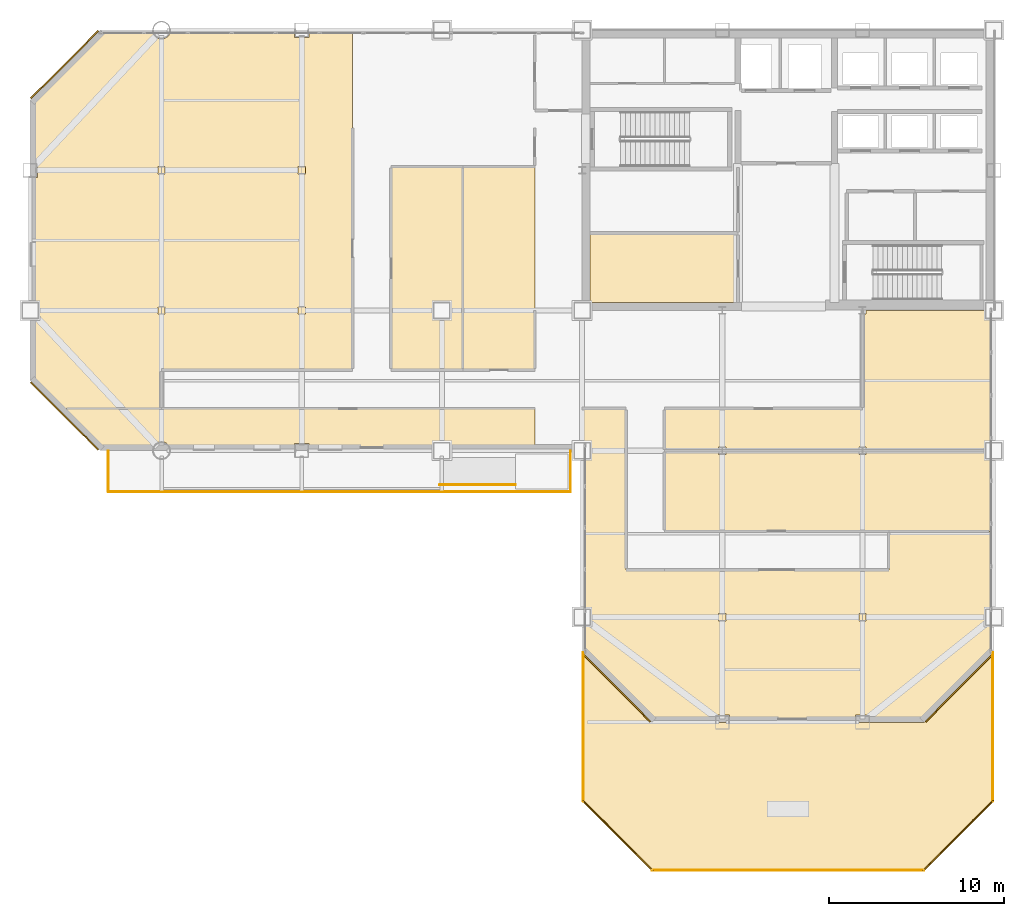
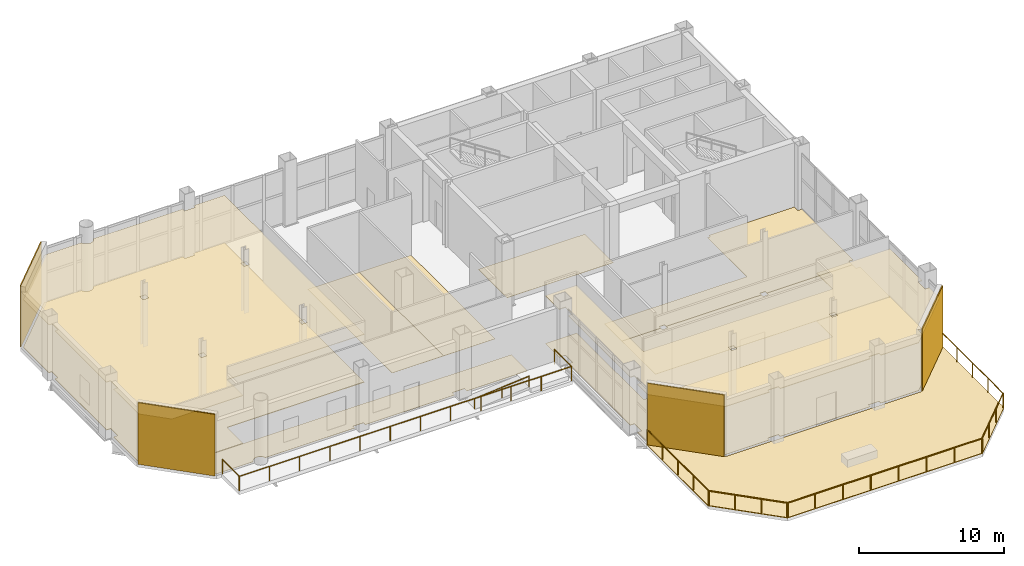
# One storey, part 20 of 21: 15 coverings, 7 railings.
"""IFC4 building model written with IfcOpenShell, lengths in metres."""

import ifcopenshell
import ifcopenshell.guid

model = None  # the IFC model being written
_history = None  # IfcOwnerHistory: only IFC2X3 demands one
_inside = {}  # id of a spatial element -> (the spatial element, [elements in it])
_under = {}  # id of a project, library or spatial element -> (it, [spatial elements below it])
_declared = {}  # id of a project -> (the project, [libraries it declares])
_typed = {}  # id of a type object -> (the type object, [elements of that type])
_made_of = {}  # id of a material, layer set ... -> (it, [elements and type objects made of it])


def new_model(schema):
    """Start an empty IFC model of exactly this schema.

    Asked for "IFC4X3", IfcOpenShell would pick the latest addendum, in which some entities
    have other attributes; the version numbers below select the first issue.
    IFC2X3 requires an IfcOwnerHistory on every rooted entity: one is made here for all.
    """
    global model, _history
    if schema == "IFC4X3":
        model = ifcopenshell.file(schema_version=(4, 3, 0, 0))
    else:
        model = ifcopenshell.file(schema=schema)
    _inside.clear()
    _under.clear()
    _declared.clear()
    _typed.clear()
    _made_of.clear()
    _history = None
    if model.schema == "IFC2X3":
        org = make("IfcOrganization", Name="unknown")
        user = make(
            "IfcPersonAndOrganization",
            ThePerson=make("IfcPerson", FamilyName="unknown"),
            TheOrganization=org,
        )
        app = make(
            "IfcApplication",
            ApplicationDeveloper=org,
            Version="unknown",
            ApplicationFullName="unknown",
            ApplicationIdentifier="unknown",
        )
        _history = make(
            "IfcOwnerHistory",
            OwningUser=user,
            OwningApplication=app,
            ChangeAction="ADDED",
            CreationDate=0,
        )
    return model


def make(cls, **values):
    """One entity of the class cls with the attributes given. An attribute that is None is left unset."""
    return model.create_entity(
        cls, **{name: value for name, value in values.items() if value is not None}
    )


def rooted(cls, **values):
    """An entity with a GlobalId (a new one), such as an element, a storey or a relation."""
    return make(cls, GlobalId=ifcopenshell.guid.new(), OwnerHistory=_history, **values)


def si_unit(unit_type, name, prefix=None):
    """IfcSIUnit, for example si_unit("LENGTHUNIT", "METRE", prefix="MILLI")."""
    return make("IfcSIUnit", UnitType=unit_type, Prefix=prefix, Name=name)


def assignment(units):
    """IfcUnitAssignment: the units of a project."""
    return None if units is None else make("IfcUnitAssignment", Units=units)


def point(xyz):
    """IfcCartesianPoint."""
    return None if xyz is None else make("IfcCartesianPoint", Coordinates=xyz)


def direction(xyz):
    """IfcDirection."""
    return None if xyz is None else make("IfcDirection", DirectionRatios=xyz)


def frame(location, z_axis=None, x_axis=None):
    """IfcAxis2Placement3D, a coordinate frame: its origin and axes. An axis left out is left unset."""
    return make(
        "IfcAxis2Placement3D",
        Location=point(location),
        Axis=direction(z_axis),
        RefDirection=direction(x_axis),
    )


def frame_2d(location, x_axis=None):
    """IfcAxis2Placement2D, a coordinate frame in the plane: its origin and x axis."""
    return make(
        "IfcAxis2Placement2D", Location=point(location), RefDirection=direction(x_axis)
    )


def origin():
    """The frame at (0, 0, 0) with its axes left unset."""
    return frame((0.0, 0.0, 0.0))


def origin_2d():
    """The frame at (0, 0) in the plane with its x axis left unset."""
    return frame_2d((0.0, 0.0))


def place(relative_to, where):
    """IfcLocalPlacement: puts the frame where relative to a parent placement (None: the world)."""
    return make(
        "IfcLocalPlacement", PlacementRelTo=relative_to, RelativePlacement=where
    )


def context(
    kind, dimensions, precision=None, world=None, true_north=None, identifier=None
):
    """IfcGeometricRepresentationContext, for example the 3D "Model" context."""
    return make(
        "IfcGeometricRepresentationContext",
        ContextIdentifier=identifier,
        ContextType=kind,
        CoordinateSpaceDimension=dimensions,
        Precision=precision,
        WorldCoordinateSystem=world,
        TrueNorth=true_north,
    )


def subcontext(parent, identifier, kind, view, scale=None):
    """IfcGeometricRepresentationSubContext, for example "Body" below "Model"."""
    return make(
        "IfcGeometricRepresentationSubContext",
        ContextIdentifier=identifier,
        ContextType=kind,
        ParentContext=parent,
        TargetScale=scale,
        TargetView=view,
    )


def project(units=None, contexts=None):
    """IfcProject with its units and contexts."""
    return rooted(
        "IfcProject",
        Name="project",
        RepresentationContexts=contexts,
        UnitsInContext=assignment(units),
    )


def spatial(cls, under=None, at=None, **own):
    """A site, building, storey or space (cls), placed at a placement, below another one or the project."""
    s = rooted(cls, ObjectPlacement=at, **own)
    if under is not None:
        _under.setdefault(under.id(), (under, []))[1].append(s)
    return s


def polyline(points):
    """IfcPolyline through the points."""
    return make("IfcPolyline", Points=[point(p) for p in points])


def profile(cls, at=None, kind="AREA", **sizes):
    """A parametric profile (cls). Its sizes go by their IFC names, for example OverallWidth=200.0."""
    return make(cls, ProfileType=kind, Position=at, **sizes)


def rectangle(**sizes):
    """IfcRectangleProfileDef."""
    return profile("IfcRectangleProfileDef", **sizes)


def circle(**sizes):
    """IfcCircleProfileDef."""
    return profile("IfcCircleProfileDef", **sizes)


def outline(outer, holes=None, kind="AREA"):
    """IfcArbitraryClosedProfileDef: a profile drawn as a closed curve; with holes, ...WithVoids."""
    if holes is None:
        return make("IfcArbitraryClosedProfileDef", ProfileType=kind, OuterCurve=outer)
    return make(
        "IfcArbitraryProfileDefWithVoids",
        ProfileType=kind,
        OuterCurve=outer,
        InnerCurves=holes,
    )


def extrude(swept, where, along, depth):
    """IfcExtrudedAreaSolid: the profile swept, set in the frame where, extruded along a direction by depth."""
    return make(
        "IfcExtrudedAreaSolid",
        SweptArea=swept,
        Position=where,
        ExtrudedDirection=direction(along),
        Depth=depth,
    )


def shape(context_of_items, identifier, shape_type, items):
    """IfcShapeRepresentation: the items that make up one representation, for example the "Body"."""
    return make(
        "IfcShapeRepresentation",
        ContextOfItems=context_of_items,
        RepresentationIdentifier=identifier,
        RepresentationType=shape_type,
        Items=items,
    )


def material(Name=None, Category=None):
    """IfcMaterial."""
    return make("IfcMaterial", Name=Name, Category=Category)


def layer(
    of_material, thickness, ventilated=None, Name=None, Category=None, Priority=None
):
    """IfcMaterialLayer: one layer of a wall or slab, of a material (None: an air gap)."""
    return make(
        "IfcMaterialLayer",
        Material=of_material,
        LayerThickness=thickness,
        IsVentilated=ventilated,
        Name=Name,
        Category=Category,
        Priority=Priority,
    )


def layer_set(layers, Name=None):
    """IfcMaterialLayerSet."""
    return make("IfcMaterialLayerSet", MaterialLayers=layers, LayerSetName=Name)


def made_of(thing, what):
    """Note that an element or type object is made of a material, layer set ...; save() writes the relation."""
    if what is not None:
        _made_of.setdefault(what.id(), (what, []))[1].append(thing)
    return thing


def type_object(cls, material=None, **own):
    """A type object (cls), such as IfcWallType, which elements share."""
    return made_of(rooted(cls, **own), material)


def element(
    cls,
    number,
    at=None,
    inside=None,
    cuts=None,
    type_object=None,
    material=None,
    context=None,
    identifier="Body",
    shape_type=None,
    held_by="IfcProductDefinitionShape",
    body=None,
    shapes=None,
    **own,
):
    """One element of the class cls, such as IfcWall. Its Tag is "e" and its number.

    at: its placement. inside: the storey or other place that contains it. cuts: it is an
    opening in that element (IfcRelVoidsElement). A single representation is given by context,
    identifier, shape_type and body (its items); several are given by shapes. held_by: the class
    of the entity that holds the representations. save() writes the other relations.
    """
    e = rooted(cls, Tag="e%d" % number, ObjectPlacement=at, **own)
    if body is not None:
        shapes = [shape(context, identifier, shape_type, body)]
    if shapes is not None:
        e.Representation = make(held_by, Representations=shapes)
    if inside is not None:
        _inside.setdefault(inside.id(), (inside, []))[1].append(e)
    if cuts is not None:
        rooted(
            "IfcRelVoidsElement", RelatingBuildingElement=cuts, RelatedOpeningElement=e
        )
    if type_object is not None:
        _typed.setdefault(type_object.id(), (type_object, []))[1].append(e)
    return made_of(e, material)


def aggregate(whole, parts):
    """IfcRelAggregates: a whole, such as a stair, and the parts it consists of."""
    return rooted("IfcRelAggregates", RelatingObject=whole, RelatedObjects=parts)


def save(model, path):
    """Write the relations noted so far, then the file.

    IfcRelAggregates (storeys below a building ...), IfcRelContainedInSpatialStructure (elements
    in a storey), IfcRelDefinesByType, IfcRelAssociatesMaterial and IfcRelDeclares: one each for
    every whole, place, type object, material and project.
    """
    for whole, parts in _under.values():
        aggregate(whole, parts)
    for where, things in _inside.values():
        rooted(
            "IfcRelContainedInSpatialStructure",
            RelatedElements=things,
            RelatingStructure=where,
        )
    for kind, things in _typed.values():
        rooted("IfcRelDefinesByType", RelatedObjects=things, RelatingType=kind)
    for what, things in _made_of.values():
        rooted("IfcRelAssociatesMaterial", RelatedObjects=things, RelatingMaterial=what)
    for by, libraries in _declared.values():
        rooted("IfcRelDeclares", RelatingContext=by, RelatedDefinitions=libraries)
    model.write(path)


model = new_model("IFC4")

# Units and contexts
model_context = context("Model", 3, precision=1e-05, world=origin(), true_north=direction((0.0, 1.0)))
body_context = subcontext(model_context, "Body", "Model", "MODEL_VIEW")
ifc_project = project(units=[si_unit("LENGTHUNIT", "METRE"), si_unit("AREAUNIT", "SQUARE_METRE"), si_unit("VOLUMEUNIT", "CUBIC_METRE"), si_unit("PLANEANGLEUNIT", "RADIAN"), si_unit("MASSUNIT", "GRAM", prefix="KILO")], contexts=[model_context])

# Site, building, storey
site_placement = place(None, origin())
site = spatial("IfcSite", under=ifc_project, at=site_placement, CompositionType="ELEMENT")
building_placement = place(site_placement, origin())
building = spatial("IfcBuilding", under=site, at=building_placement, Name="Qianrong Seaharbour Tower", CompositionType="ELEMENT")
storey_placement = place(building_placement, frame((0.0, 0.0, 200.39990234375)))
storey = spatial("IfcBuildingStorey", under=building, at=storey_placement, Name="L48", CompositionType="ELEMENT", Elevation=200.39990234375)

# Coverings
ifc_material_1 = material(Name="Mineral fibre acoustic suspended ceiling board")
ifc_layer_1 = layer(ifc_material_1, 0.0400390625)
ifc_layer_set_1 = layer_set([ifc_layer_1], Name="Mineral fibre acoustic suspended ceiling board")
covering_type_1 = type_object("IfcCoveringType", Name="COV-CEIL-ACOUSTIC-40", PredefinedType="CEILING", material=ifc_layer_set_1)
covering_1_placement = place(storey_placement, frame((0.0, 0.0, 4.01513671875)))
element("IfcCovering", 1, at=covering_1_placement, inside=storey, type_object=covering_type_1, Name="L48 Transfer Hub Open-Plan Office Acoustic Ceiling", PredefinedType="CEILING", context=body_context, shape_type="SweptSolid", body=[
    extrude(outline(polyline([(9.1650390625, 32.068359375), (9.1650390625, 35.514892578125), (9.485107421875, 35.514892578125), (9.485107421875, 36.485107421875), (9.1650390625, 36.485107421875), (9.1650390625, 43.590087890625), (9.409912109375, 43.590087890625), (9.409912109375, 44.409912109375), (9.1650390625, 44.409912109375), (9.1650390625, 47.931640625), (13.068359375, 51.8349609375), (16.019775390625, 51.8349609375), (16.02880859375, 51.8046875), (16.075927734375, 51.716796875), (16.139404296875, 51.639404296875), (16.216796875, 51.575927734375), (16.3046875, 51.52880859375), (16.400390625, 51.499755859375), (16.5, 51.489990234375), (16.599609375, 51.499755859375), (16.6953125, 51.52880859375), (16.783203125, 51.575927734375), (16.860595703125, 51.639404296875), (16.924072265625, 51.716796875), (16.97119140625, 51.8046875), (16.980224609375, 51.8349609375), (24.090087890625, 51.8349609375), (24.090087890625, 51.590087890625), (24.909912109375, 51.590087890625), (24.909912109375, 51.8349609375), (27.39990234375, 51.8349609375), (27.39990234375, 32.60009765625), (16.5, 32.60009765625), (16.5, 30.39990234375), (10.833251953125, 30.39990234375), (9.1650390625, 32.068359375)]), holes=[polyline([(24.7099609375, 35.7900390625), (24.7099609375, 36.2099609375), (24.2900390625, 36.2099609375), (24.2900390625, 35.7900390625), (24.7099609375, 35.7900390625)]), polyline([(24.7099609375, 43.7900390625), (24.7099609375, 44.2099609375), (24.2900390625, 44.2099609375), (24.2900390625, 43.7900390625), (24.7099609375, 43.7900390625)]), polyline([(16.7099609375, 35.7900390625), (16.7099609375, 36.2099609375), (16.2900390625, 36.2099609375), (16.2900390625, 35.7900390625), (16.7099609375, 35.7900390625)]), polyline([(16.7099609375, 43.7900390625), (16.7099609375, 44.2099609375), (16.2900390625, 44.2099609375), (16.2900390625, 43.7900390625), (16.7099609375, 43.7900390625)])]), origin(), (0.0, 0.0, 1.0), 0.0400390625),
])
ifc_material_2 = material(Name="Perforated acoustic gypsum ceiling board")
ifc_layer_2 = layer(ifc_material_2, 0.050048828125)
ifc_layer_set_2 = layer_set([ifc_layer_2], Name="Perforated acoustic gypsum ceiling board")
covering_type_2 = type_object("IfcCoveringType", Name="COV-CEIL-GYPSUM-50", PredefinedType="CEILING", material=ifc_layer_set_2)
covering_2_placement = place(storey_placement, frame((0.0, 0.0, 4.005126953125)))
element("IfcCovering", 2, at=covering_2_placement, inside=storey, type_object=covering_type_2, Name="L48 Skyline Observation Lounge Acoustic Ceiling", PredefinedType="CEILING", context=body_context, shape_type="SweptSolid", body=[
    extrude(outline(polyline([(43.0, 21.199951171875), (58.0, 21.199951171875), (58.0, 23.39990234375), (63.8349609375, 23.39990234375), (63.8349609375, 18.985107421875), (63.514892578125, 18.985107421875), (63.514892578125, 18.014892578125), (63.8349609375, 18.014892578125), (63.8349609375, 16.568359375), (59.931640625, 12.6650390625), (56.909912109375, 12.6650390625), (56.909912109375, 12.909912109375), (56.090087890625, 12.909912109375), (56.090087890625, 12.6650390625), (48.909912109375, 12.6650390625), (48.909912109375, 12.909912109375), (48.090087890625, 12.909912109375), (48.090087890625, 12.6650390625), (44.568359375, 12.6650390625), (40.6650390625, 16.568359375), (40.6650390625, 18.014892578125), (40.985107421875, 18.014892578125), (40.985107421875, 18.985107421875), (40.6650390625, 18.985107421875), (40.6650390625, 27.514892578125), (40.985107421875, 27.514892578125), (40.985107421875, 28.485107421875), (40.5, 28.485107421875), (40.5, 30.39990234375), (43.0, 30.39990234375), (43.0, 21.199951171875)]), holes=[polyline([(56.7099609375, 18.2900390625), (56.7099609375, 18.7099609375), (56.2900390625, 18.7099609375), (56.2900390625, 18.2900390625), (56.7099609375, 18.2900390625)]), polyline([(48.7099609375, 18.2900390625), (48.7099609375, 18.7099609375), (48.2900390625, 18.7099609375), (48.2900390625, 18.2900390625), (48.7099609375, 18.2900390625)])]), origin(), (0.0, 0.0, 1.0), 0.050048828125),
])
ifc_material_3 = material(Name="Unitised red brick cladding on Precast concrete C45/55", Category="masonry")
ifc_layer_3 = layer(ifc_material_3, 0.080078125)
ifc_layer_set_3 = layer_set([ifc_layer_3], Name="Unitised red brick cladding on Precast concrete C45/55")
covering_type_3 = type_object("IfcCoveringType", Name="COV-CLAD-RED-BRICK-80", PredefinedType="CLADDING", material=ifc_layer_set_3)
for number, where, z_axis, x_axis, name in (
    (3, (10.9716796875, 29.9716796875, 0.0), (0.0, 0.0, 1.0), (-0.707106781187, 0.707106781187, 0.0), "L48 Chamfer Corner Brick Cladding 02"),
    (4, (10.9716796875, 50.0283203125, 0.0), (0.0, 0.0, 1.0), (0.707106781187, 0.707106781187, 0.0), "L48 Chamfer Corner Brick Cladding 04"),
    (5, (62.0283203125, 14.4716796875, 0.0), (0.0, 0.0, 1.0), (-0.707106781187, -0.707106781187, 0.0), "L48 Chamfer Corner Brick Cladding 07"),
    (6, (42.4716796875, 14.4716796875, 0.0), (0.0, 0.0, 1.0), (-0.707106781187, 0.707106781187, 0.0), "L48 Chamfer Corner Brick Cladding 09"),
):
    element("IfcCovering", number, at=place(storey_placement, frame(where, z_axis=z_axis, x_axis=x_axis)), inside=storey, type_object=covering_type_3, Name=name, PredefinedType="CLADDING", context=body_context, shape_type="SweptSolid", body=[
        extrude(rectangle(XDim=5.456787109375, YDim=0.080078125, at=origin_2d()), origin(), (0.0, 0.0, 1.0), 5.175048828125),
    ])
ifc_material_4 = material(Name="Acoustic modular carpet tile flooring")
ifc_layer_4 = layer(ifc_material_4, 0.02001953125)
ifc_layer_set_4 = layer_set([ifc_layer_4], Name="Acoustic modular carpet tile flooring")
covering_type_4 = type_object("IfcCoveringType", Name="COV-FLOOR-CARPET-20", PredefinedType="FLOORING", material=ifc_layer_set_4)
covering_3_placement = place(storey_placement, origin())
element("IfcCovering", 7, at=covering_3_placement, inside=storey, type_object=covering_type_4, Name="L48 Corporate Archive Room Finish Flooring", PredefinedType="FLOORING", context=body_context, shape_type="SweptSolid", body=[
    extrude(outline(polyline([(49.39990234375, 40.39990234375), (49.39990234375, 36.4599609375), (40.985107421875, 36.4599609375), (40.985107421875, 36.485107421875), (40.9599609375, 36.485107421875), (40.9599609375, 40.39990234375), (49.39990234375, 40.39990234375)])), origin(), (0.0, 0.0, 1.0), 0.02001953125),
])
covering_4_placement = place(storey_placement, origin())
element("IfcCovering", 8, at=covering_4_placement, inside=storey, type_object=covering_type_4, Name="L48 Harbour Panorama Boardroom 1 Finish Flooring", PredefinedType="FLOORING", context=body_context, shape_type="SweptSolid", body=[
    extrude(outline(polyline([(29.60009765625, 44.199951171875), (33.699951171875, 44.199951171875), (33.699951171875, 32.60009765625), (29.60009765625, 32.60009765625), (29.60009765625, 44.199951171875)])), origin(), (0.0, 0.0, 1.0), 0.02001953125),
])
covering_5_placement = place(storey_placement, origin())
element("IfcCovering", 9, at=covering_5_placement, inside=storey, type_object=covering_type_4, Name="L48 Project Library 2 Finish Flooring", PredefinedType="FLOORING", context=body_context, shape_type="SweptSolid", body=[
    extrude(outline(polyline([(33.699951171875, 44.199951171875), (37.800048828125, 44.199951171875), (37.800048828125, 32.60009765625), (33.699951171875, 32.60009765625), (33.699951171875, 44.199951171875)])), origin(), (0.0, 0.0, 1.0), 0.02001953125),
])
covering_6_placement = place(storey_placement, origin())
element("IfcCovering", 10, at=covering_6_placement, inside=storey, type_object=covering_type_4, Name="L48 Wet Pantry Finish Flooring", PredefinedType="FLOORING", context=body_context, shape_type="SweptSolid", body=[
    extrude(outline(polyline([(32.985107421875, 28.1650390625), (32.985107421875, 28.485107421875), (32.014892578125, 28.485107421875), (32.014892578125, 28.1650390625), (24.909912109375, 28.1650390625), (24.909912109375, 28.409912109375), (24.090087890625, 28.409912109375), (24.090087890625, 28.1650390625), (16.980224609375, 28.1650390625), (16.97119140625, 28.1953125), (16.924072265625, 28.283203125), (16.860595703125, 28.360595703125), (16.783203125, 28.424072265625), (16.6953125, 28.47119140625), (16.599609375, 28.500244140625), (16.5, 28.510009765625), (16.400390625, 28.500244140625), (16.3046875, 28.47119140625), (16.216796875, 28.424072265625), (16.139404296875, 28.360595703125), (16.075927734375, 28.283203125), (16.02880859375, 28.1953125), (16.019775390625, 28.1650390625), (13.068359375, 28.1650390625), (10.833251953125, 30.39990234375), (37.800048828125, 30.39990234375), (37.800048828125, 28.1650390625), (32.985107421875, 28.1650390625)])), origin(), (0.0, 0.0, 1.0), 0.02001953125),
])
covering_7_placement = place(storey_placement, origin())
element("IfcCovering", 11, at=covering_7_placement, inside=storey, type_object=covering_type_4, Name="L48 Skyline Observation Lounge Finish Flooring", PredefinedType="FLOORING", context=body_context, shape_type="SweptSolid", body=[
    extrude(outline(polyline([(43.0, 21.199951171875), (58.0, 21.199951171875), (58.0, 23.39990234375), (63.8349609375, 23.39990234375), (63.8349609375, 18.985107421875), (63.514892578125, 18.985107421875), (63.514892578125, 18.014892578125), (63.8349609375, 18.014892578125), (63.8349609375, 16.568359375), (59.931640625, 12.6650390625), (56.909912109375, 12.6650390625), (56.909912109375, 12.909912109375), (56.090087890625, 12.909912109375), (56.090087890625, 12.6650390625), (48.909912109375, 12.6650390625), (48.909912109375, 12.909912109375), (48.090087890625, 12.909912109375), (48.090087890625, 12.6650390625), (44.568359375, 12.6650390625), (40.6650390625, 16.568359375), (40.6650390625, 18.014892578125), (40.985107421875, 18.014892578125), (40.985107421875, 18.985107421875), (40.6650390625, 18.985107421875), (40.6650390625, 27.514892578125), (40.985107421875, 27.514892578125), (40.985107421875, 28.485107421875), (40.5, 28.485107421875), (40.5, 30.39990234375), (43.0, 30.39990234375), (43.0, 21.199951171875)])), origin(), (0.0, 0.0, 1.0), 0.02001953125),
])
ifc_material_5 = material(Name="Honed granite stone flooring", Category="masonry")
ifc_layer_5 = layer(ifc_material_5, 0.030029296875)
ifc_layer_set_5 = layer_set([ifc_layer_5], Name="Honed granite stone flooring")
covering_type_5 = type_object("IfcCoveringType", Name="COV-FLOOR-GRANITE-30", PredefinedType="FLOORING", material=ifc_layer_set_5)
covering_8_placement = place(storey_placement, origin())
element("IfcCovering", 12, at=covering_8_placement, inside=storey, type_object=covering_type_5, Name="L48 Harbour View Dining Bistro 1 Finish Flooring", PredefinedType="FLOORING", context=body_context, shape_type="SweptSolid", body=[
    extrude(outline(polyline([(48.2900390625, 28.0), (48.2900390625, 27.7900390625), (48.7099609375, 27.7900390625), (48.7099609375, 28.0), (56.2900390625, 28.0), (56.2900390625, 27.7900390625), (56.7099609375, 27.7900390625), (56.7099609375, 28.0), (63.514892578125, 28.0), (63.514892578125, 27.514892578125), (63.8349609375, 27.514892578125), (63.8349609375, 23.39990234375), (45.199951171875, 23.39990234375), (45.199951171875, 28.0), (48.2900390625, 28.0)])), origin(), (0.0, 0.0, 1.0), 0.030029296875),
])
covering_9_placement = place(storey_placement, origin())
element("IfcCovering", 13, at=covering_9_placement, inside=storey, type_object=covering_type_5, Name="L48 Executive Briefing Salon 2 Finish Flooring", PredefinedType="FLOORING", context=body_context, shape_type="SweptSolid", body=[
    extrude(outline(polyline([(56.5, 30.39990234375), (56.5, 35.7900390625), (56.7099609375, 35.7900390625), (56.7099609375, 36.0), (63.514892578125, 36.0), (63.514892578125, 35.514892578125), (63.8349609375, 35.514892578125), (63.8349609375, 28.485107421875), (63.514892578125, 28.485107421875), (63.514892578125, 28.0), (56.7099609375, 28.0), (56.7099609375, 28.2099609375), (56.2900390625, 28.2099609375), (56.2900390625, 28.0), (48.7099609375, 28.0), (48.7099609375, 28.2099609375), (48.2900390625, 28.2099609375), (48.2900390625, 28.0), (45.199951171875, 28.0), (45.199951171875, 30.39990234375), (56.5, 30.39990234375)])), origin(), (0.0, 0.0, 1.0), 0.030029296875),
])
ifc_material_6 = material(Name="Calcium-sulphate raised access floor tile")
ifc_layer_6 = layer(ifc_material_6, 0.044921875)
ifc_layer_set_6 = layer_set([ifc_layer_6], Name="Calcium-sulphate raised access floor tile")
covering_type_6 = type_object("IfcCoveringType", Name="COV-FLOOR-RAISED-45", PredefinedType="FLOORING", material=ifc_layer_set_6)
covering_10_placement = place(storey_placement, origin())
element("IfcCovering", 14, at=covering_10_placement, inside=storey, type_object=covering_type_6, Name="L48 Transfer Hub Open-Plan Office Finish Flooring", PredefinedType="FLOORING", context=body_context, shape_type="SweptSolid", body=[
    extrude(outline(polyline([(9.1650390625, 32.068359375), (9.1650390625, 35.514892578125), (9.485107421875, 35.514892578125), (9.485107421875, 36.485107421875), (9.1650390625, 36.485107421875), (9.1650390625, 43.590087890625), (9.409912109375, 43.590087890625), (9.409912109375, 44.409912109375), (9.1650390625, 44.409912109375), (9.1650390625, 47.931640625), (13.068359375, 51.8349609375), (16.019775390625, 51.8349609375), (16.02880859375, 51.8046875), (16.075927734375, 51.716796875), (16.139404296875, 51.639404296875), (16.216796875, 51.575927734375), (16.3046875, 51.52880859375), (16.400390625, 51.499755859375), (16.5, 51.489990234375), (16.599609375, 51.499755859375), (16.6953125, 51.52880859375), (16.783203125, 51.575927734375), (16.860595703125, 51.639404296875), (16.924072265625, 51.716796875), (16.97119140625, 51.8046875), (16.980224609375, 51.8349609375), (24.090087890625, 51.8349609375), (24.090087890625, 51.590087890625), (24.909912109375, 51.590087890625), (24.909912109375, 51.8349609375), (27.39990234375, 51.8349609375), (27.39990234375, 32.60009765625), (16.5, 32.60009765625), (16.5, 30.39990234375), (10.833251953125, 30.39990234375), (9.1650390625, 32.068359375)])), origin(), (0.0, 0.0, 1.0), 0.045166015625),
])
ifc_material_7 = material(Name="Elastomeric waterproofing membrane and extruded polystyrene insulation")
ifc_layer_7 = layer(ifc_material_7, 0.06005859375)
ifc_layer_set_7 = layer_set([ifc_layer_7], Name="Elastomeric waterproofing membrane and extruded polystyrene insulation")
covering_type_7 = type_object("IfcCoveringType", Name="COV-ROOF-MEMBRANE-60", PredefinedType="ROOFING", material=ifc_layer_set_7)
covering_11_placement = place(storey_placement, frame((0.0, 0.0, -0.059814453125)))
element("IfcCovering", 15, at=covering_11_placement, inside=storey, type_object=covering_type_7, Name="L48 Sky Garden Waterproofing Membrane 4", PredefinedType="ROOFING", context=body_context, shape_type="SweptSolid", body=[
    extrude(outline(polyline([(60.0, 4.0), (44.5, 4.0), (40.5, 8.0), (40.5, 16.4716796875), (44.48583984375, 12.48583984375), (44.4873046875, 12.484619140625), (44.489013671875, 12.4833984375), (44.490478515625, 12.482421875), (44.4921875, 12.4814453125), (44.494140625, 12.48095703125), (44.49609375, 12.48046875), (44.498046875, 12.47998046875), (44.5, 12.47998046875), (60.0, 12.47998046875), (60.001953125, 12.47998046875), (60.00390625, 12.48046875), (60.005859375, 12.48095703125), (60.0078125, 12.4814453125), (60.009521484375, 12.482421875), (60.010986328125, 12.4833984375), (60.0126953125, 12.484619140625), (60.01416015625, 12.48583984375), (64.0, 16.4716796875), (64.0, 8.0), (60.0, 4.0)])), origin(), (0.0, 0.0, 1.0), 0.059814453125),
])

# Railings
ifc_material_8 = material(Name="Stainless steel SUS316L tubular handrail", Category="steel")
railing_type_1 = type_object("IfcRailingType", Name="RAIL-RAMP-HANDRAIL-900", PredefinedType="HANDRAIL", material=ifc_material_8)
railing_1_placement = place(storey_placement, frame((32.3798828125, 26.050048828125, 0.0)))
element("IfcRailing", 16, at=railing_1_placement, inside=storey, type_object=railing_type_1, Name="L48 Harbourfront Ribbon Ramp Handrail", PredefinedType="HANDRAIL", context=body_context, shape_type="SweptSolid", body=[
    extrude(circle(Radius=0.02392578125, at=origin_2d()), frame((0.0, 0.0, 0.8759765625), z_axis=(0.996543815979, 0.0, 0.083068783756), x_axis=(0.0, 1.0, 0.0)), (0.0, 0.0, 1.0), 4.3349609375),
    extrude(circle(Radius=0.02099609375, at=origin_2d()), origin(), (0.0, 0.0, 1.0), 0.851806640625),
    extrude(circle(Radius=0.02099609375, at=origin_2d()), frame((2.16015625, 0.0, 0.18017578125)), (0.0, 0.0, 1.0), 0.851806640625),
    extrude(circle(Radius=0.02099609375, at=origin_2d()), frame((4.320068359375, 0.0, 0.360107421875)), (0.0, 0.0, 1.0), 0.851806640625),
])
ifc_material_9 = material(Name="Stainless steel SUS316L and laminated safety glass balustrade", Category="steel")
railing_type_2 = type_object("IfcRailingType", Name="RAIL-TERRACE-GUARD-1220", PredefinedType="GUARDRAIL", material=ifc_material_9)
railing_2_placement = place(storey_placement, frame((60.0, 4.06005859375, 0.0)))
element("IfcRailing", 17, at=railing_2_placement, inside=storey, type_object=railing_type_2, Name="L48 Sky Garden Perimeter Guardrail P4.1", PredefinedType="GUARDRAIL", context=body_context, shape_type="SweptSolid", body=[
    extrude(circle(Radius=0.02392578125, at=origin_2d()), frame((0.0, 0.0, 1.19580078125), z_axis=(-1.0, 0.0, 0.0), x_axis=(0.0, -1.0, 0.0)), (0.0, 0.0, 1.0), 15.5),
    extrude(circle(Radius=0.02099609375, at=origin_2d()), origin(), (0.0, 0.0, 1.0), 1.171875),
    extrude(circle(Radius=0.02099609375, at=origin_2d()), frame((-2.21435546875, 0.0, 0.0)), (0.0, 0.0, 1.0), 1.171875),
    extrude(circle(Radius=0.02099609375, at=origin_2d()), frame((-4.428466796875, 0.0, 0.0)), (0.0, 0.0, 1.0), 1.171875),
    extrude(circle(Radius=0.02099609375, at=origin_2d()), frame((-6.642822265625, 0.0, 0.0)), (0.0, 0.0, 1.0), 1.171875),
    extrude(circle(Radius=0.02099609375, at=origin_2d()), frame((-8.857177734375, 0.0, 0.0)), (0.0, 0.0, 1.0), 1.171875),
    extrude(circle(Radius=0.02099609375, at=origin_2d()), frame((-11.071533203125, 0.0, 0.0)), (0.0, 0.0, 1.0), 1.171875),
    extrude(circle(Radius=0.02099609375, at=origin_2d()), frame((-13.28564453125, 0.0, 0.0)), (0.0, 0.0, 1.0), 1.171875),
    extrude(circle(Radius=0.02099609375, at=origin_2d()), frame((-15.5, 0.0, 0.0)), (0.0, 0.0, 1.0), 1.171875),
])
railing_3_placement = place(storey_placement, frame((44.54248046875, 4.04248046875, 0.0)))
element("IfcRailing", 18, at=railing_3_placement, inside=storey, type_object=railing_type_2, Name="L48 Sky Garden Perimeter Guardrail P4.2", PredefinedType="GUARDRAIL", context=body_context, shape_type="SweptSolid", body=[
    extrude(circle(Radius=0.02392578125, at=origin_2d()), frame((0.0, 0.0, 1.19580078125), z_axis=(-0.707106781187, 0.707106781187, 0.0), x_axis=(-0.707106781187, -0.707106781187, 0.0)), (0.0, 0.0, 1.0), 5.65673828125),
    extrude(circle(Radius=0.02099609375, at=origin_2d()), origin(), (0.0, 0.0, 1.0), 1.171875),
    extrude(circle(Radius=0.02099609375, at=origin_2d()), frame((-1.333251953125, 1.333251953125, 0.0)), (0.0, 0.0, 1.0), 1.171875),
    extrude(circle(Radius=0.02099609375, at=origin_2d()), frame((-2.666748046875, 2.666748046875, 0.0)), (0.0, 0.0, 1.0), 1.171875),
    extrude(circle(Radius=0.02099609375, at=origin_2d()), frame((-4.0, 4.0, 0.0)), (0.0, 0.0, 1.0), 1.171875),
])
railing_4_placement = place(storey_placement, frame((40.56005859375, 8.0, 0.0)))
element("IfcRailing", 19, at=railing_4_placement, inside=storey, type_object=railing_type_2, Name="L48 Sky Garden Perimeter Guardrail P4.3", PredefinedType="GUARDRAIL", context=body_context, shape_type="SweptSolid", body=[
    extrude(circle(Radius=0.02392578125, at=origin_2d()), frame((0.0, 0.0, 1.19580078125), z_axis=(0.0, 1.0, 0.0), x_axis=(-1.0, 0.0, 0.0)), (0.0, 0.0, 1.0), 8.4716796875),
    extrude(circle(Radius=0.02099609375, at=origin_2d()), origin(), (0.0, 0.0, 1.0), 1.171875),
    extrude(circle(Radius=0.02099609375, at=origin_2d()), frame((0.0, 2.117919921875, 0.0)), (0.0, 0.0, 1.0), 1.171875),
    extrude(circle(Radius=0.02099609375, at=origin_2d()), frame((0.0, 4.23583984375, 0.0)), (0.0, 0.0, 1.0), 1.171875),
    extrude(circle(Radius=0.02099609375, at=origin_2d()), frame((0.0, 6.353759765625, 0.0)), (0.0, 0.0, 1.0), 1.171875),
    extrude(circle(Radius=0.02099609375, at=origin_2d()), frame((0.0, 8.4716796875, 0.0)), (0.0, 0.0, 1.0), 1.171875),
])
railing_5_placement = place(storey_placement, frame((63.93994140625, 16.4716796875, 0.0)))
element("IfcRailing", 20, at=railing_5_placement, inside=storey, type_object=railing_type_2, Name="L48 Sky Garden Perimeter Guardrail P4.23", PredefinedType="GUARDRAIL", context=body_context, shape_type="SweptSolid", body=[
    extrude(circle(Radius=0.02392578125, at=origin_2d()), frame((0.0, 0.0, 1.19580078125), z_axis=(0.0, -1.0, 0.0), x_axis=(1.0, 0.0, 0.0)), (0.0, 0.0, 1.0), 8.4716796875),
    extrude(circle(Radius=0.02099609375, at=origin_2d()), origin(), (0.0, 0.0, 1.0), 1.171875),
    extrude(circle(Radius=0.02099609375, at=origin_2d()), frame((0.0, -2.117919921875, 0.0)), (0.0, 0.0, 1.0), 1.171875),
    extrude(circle(Radius=0.02099609375, at=origin_2d()), frame((0.0, -4.23583984375, 0.0)), (0.0, 0.0, 1.0), 1.171875),
    extrude(circle(Radius=0.02099609375, at=origin_2d()), frame((0.0, -6.353759765625, 0.0)), (0.0, 0.0, 1.0), 1.171875),
    extrude(circle(Radius=0.02099609375, at=origin_2d()), frame((0.0, -8.4716796875, 0.0)), (0.0, 0.0, 1.0), 1.171875),
])
railing_6_placement = place(storey_placement, frame((63.95751953125, 8.04248046875, 0.0)))
element("IfcRailing", 21, at=railing_6_placement, inside=storey, type_object=railing_type_2, Name="L48 Sky Garden Perimeter Guardrail P4.24", PredefinedType="GUARDRAIL", context=body_context, shape_type="SweptSolid", body=[
    extrude(circle(Radius=0.02392578125, at=origin_2d()), frame((0.0, 0.0, 1.19580078125), z_axis=(-0.707106781187, -0.707106781187, 0.0), x_axis=(0.707106781187, -0.707106781187, 0.0)), (0.0, 0.0, 1.0), 5.65673828125),
    extrude(circle(Radius=0.02099609375, at=origin_2d()), origin(), (0.0, 0.0, 1.0), 1.171875),
    extrude(circle(Radius=0.02099609375, at=origin_2d()), frame((-1.333251953125, -1.333251953125, 0.0)), (0.0, 0.0, 1.0), 1.171875),
    extrude(circle(Radius=0.02099609375, at=origin_2d()), frame((-2.666748046875, -2.666748046875, 0.0)), (0.0, 0.0, 1.0), 1.171875),
    extrude(circle(Radius=0.02099609375, at=origin_2d()), frame((-4.0, -4.0, 0.0)), (0.0, 0.0, 1.0), 1.171875),
])
railing_7_placement = place(storey_placement, frame((13.4599609375, 27.97998046875, 0.0)))
element("IfcRailing", 22, at=railing_7_placement, inside=storey, type_object=railing_type_2, Name="L48 Harbourfront Ribbon Gallery Guardrail", PredefinedType="GUARDRAIL", context=body_context, shape_type="SweptSolid", body=[
    extrude(circle(Radius=0.02392578125, at=origin_2d()), frame((0.0, 0.0, 1.19580078125), z_axis=(0.0, -1.0, 0.0), x_axis=(1.0, 0.0, 0.0)), (0.0, 0.0, 1.0), 2.320068359375),
    extrude(circle(Radius=0.02392578125, at=origin_2d()), frame((0.0, -2.320068359375, 1.19580078125), z_axis=(1.0, 0.0, 0.0), x_axis=(0.0, 1.0, 0.0)), (0.0, 0.0, 1.0), 26.380126953125),
    extrude(circle(Radius=0.02392578125, at=origin_2d()), frame((26.380126953125, -2.320068359375, 1.19580078125), z_axis=(0.0, 1.0, 0.0), x_axis=(-1.0, 0.0, 0.0)), (0.0, 0.0, 1.0), 2.320068359375),
    extrude(circle(Radius=0.02099609375, at=origin_2d()), origin(), (0.0, 0.0, 1.0), 1.171875),
    extrude(circle(Radius=0.02099609375, at=origin_2d()), frame((0.0, -2.320068359375, 0.0)), (0.0, 0.0, 1.0), 1.171875),
    extrude(circle(Radius=0.02099609375, at=origin_2d()), frame((2.398193359375, -2.320068359375, 0.0)), (0.0, 0.0, 1.0), 1.171875),
    extrude(circle(Radius=0.02099609375, at=origin_2d()), frame((4.79638671875, -2.320068359375, 0.0)), (0.0, 0.0, 1.0), 1.171875),
    extrude(circle(Radius=0.02099609375, at=origin_2d()), frame((7.194580078125, -2.320068359375, 0.0)), (0.0, 0.0, 1.0), 1.171875),
    extrude(circle(Radius=0.02099609375, at=origin_2d()), frame((9.5927734375, -2.320068359375, 0.0)), (0.0, 0.0, 1.0), 1.171875),
    extrude(circle(Radius=0.02099609375, at=origin_2d()), frame((11.990966796875, -2.320068359375, 0.0)), (0.0, 0.0, 1.0), 1.171875),
    extrude(circle(Radius=0.02099609375, at=origin_2d()), frame((14.38916015625, -2.320068359375, 0.0)), (0.0, 0.0, 1.0), 1.171875),
    extrude(circle(Radius=0.02099609375, at=origin_2d()), frame((16.787353515625, -2.320068359375, 0.0)), (0.0, 0.0, 1.0), 1.171875),
    extrude(circle(Radius=0.02099609375, at=origin_2d()), frame((19.185546875, -2.320068359375, 0.0)), (0.0, 0.0, 1.0), 1.171875),
    extrude(circle(Radius=0.02099609375, at=origin_2d()), frame((21.583740234375, -2.320068359375, 0.0)), (0.0, 0.0, 1.0), 1.171875),
    extrude(circle(Radius=0.02099609375, at=origin_2d()), frame((23.98193359375, -2.320068359375, 0.0)), (0.0, 0.0, 1.0), 1.171875),
    extrude(circle(Radius=0.02099609375, at=origin_2d()), frame((26.380126953125, -2.320068359375, 0.0)), (0.0, 0.0, 1.0), 1.171875),
    extrude(circle(Radius=0.02099609375, at=origin_2d()), frame((26.380126953125, 0.0, 0.0)), (0.0, 0.0, 1.0), 1.171875),
])

save(model, "model.ifc")
